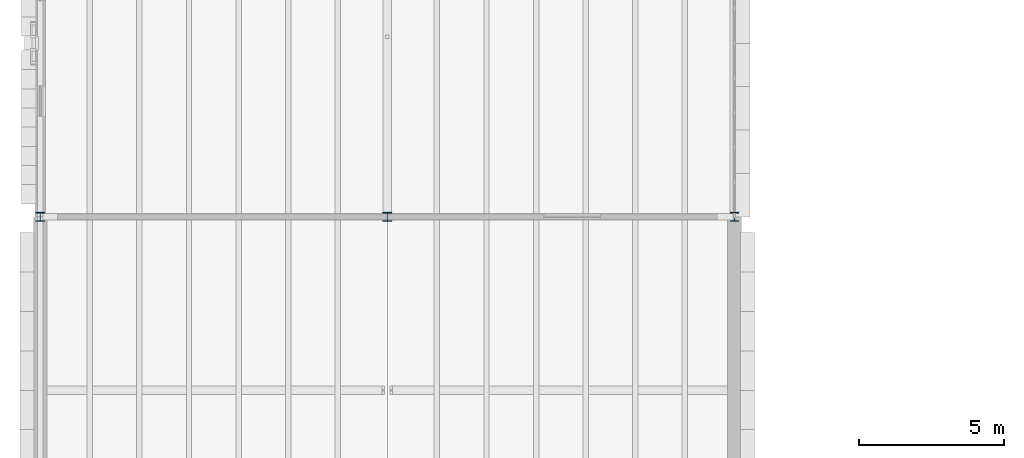
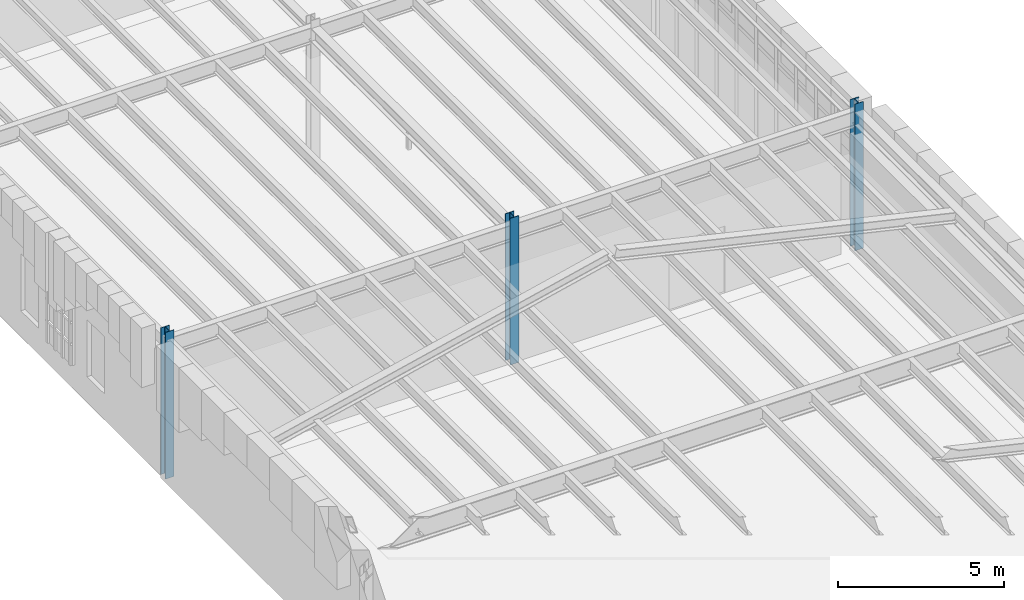
# One storey, part 2 of 100: 3 columns.
"""IFC4 building model written with IfcOpenShell, lengths in metres."""

from ifc_helpers import new_model, si_unit, direction, frame, origin, origin_2d, place, context, subcontext, project, spatial, i_section, extrude, material, material_profile, profile_set, type_object, element, save


model = new_model("IFC4")

# Units and contexts
model_context = context("Model", 3, precision=1e-05, world=origin(), true_north=direction((0.0, 1.0)))
body_context = subcontext(model_context, "Body", "Model", "MODEL_VIEW")
ifc_project = project(units=[si_unit("LENGTHUNIT", "METRE"), si_unit("AREAUNIT", "SQUARE_METRE"), si_unit("VOLUMEUNIT", "CUBIC_METRE"), si_unit("PLANEANGLEUNIT", "RADIAN"), si_unit("MASSUNIT", "GRAM", prefix="KILO")], contexts=[model_context])

# Site, building, storey
site_placement = place(None, origin())
site = spatial("IfcSite", under=ifc_project, at=site_placement, CompositionType="ELEMENT")
building_placement = place(site_placement, origin())
building = spatial("IfcBuilding", under=site, at=building_placement, Name="Zlatogorsky Bluff Art Gallery", CompositionType="ELEMENT")
storey_placement = place(building_placement, frame((0.0, 0.0, 5.39990234375)))
storey = spatial("IfcBuildingStorey", under=building, at=storey_placement, Name="L01", CompositionType="ELEMENT", Elevation=5.39990234375)

# Columns
ifc_material = material(Name="Steel S355", Category="steel")
ifc_material_profile = material_profile(ifc_material, i_section(OverallWidth=0.300048828125, OverallDepth=0.300048828125, WebThickness=0.010986328125, FlangeThickness=0.01904296875, FilletRadius=0.027099609375, at=origin_2d()), Name="HEB 300")
ifc_profile_set = profile_set([ifc_material_profile], Name="Steel S355")
column_type = type_object("IfcColumnType", Name="Column CL-06 HEB 300", PredefinedType="COLUMN", material=ifc_profile_set)
for number, where, z_axis, x_axis, name in (
    (1, (0.0, 62.39990234375, 0.0), (0.0, 0.0, 1.0), (1.0, 0.0, 0.0), "Column CL-06 L01 A7"),
    (2, (12.0, 62.39990234375, 0.0), (0.0, 0.0, 1.0), (1.0, 0.0, 0.0), "Column CL-06 L01 B7"),
    (3, (24.0, 62.39990234375, 0.0), (0.0, 0.0, 1.0), (1.0, 0.0, 0.0), "Column CL-06 L01 C7"),
):
    element("IfcColumn", number, at=place(storey_placement, frame(where, z_axis=z_axis, x_axis=x_axis)), inside=storey, type_object=column_type, Name=name, PredefinedType="COLUMN", context=body_context, shape_type="SweptSolid", body=[
        extrude(i_section(OverallWidth=0.300048828125, OverallDepth=0.300048828125, WebThickness=0.010986328125, FlangeThickness=0.01904296875, FilletRadius=0.027099609375, at=origin_2d()), origin(), (0.0, 0.0, 1.0), 5.400146484375),
    ])

save(model, "model.ifc")
